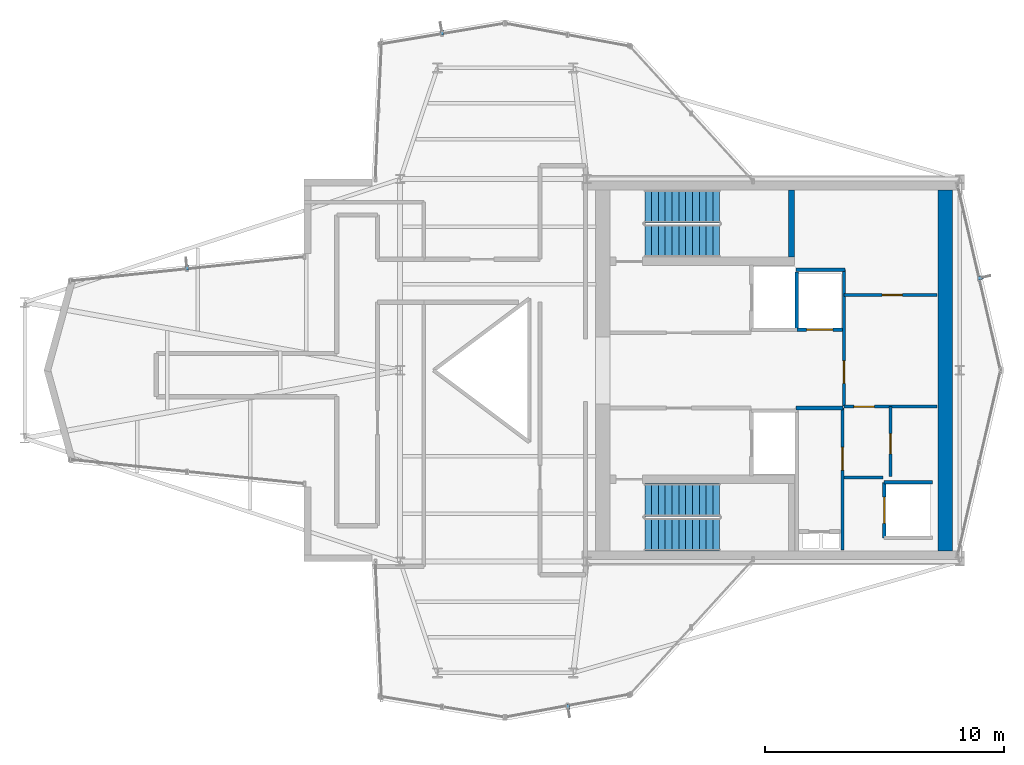
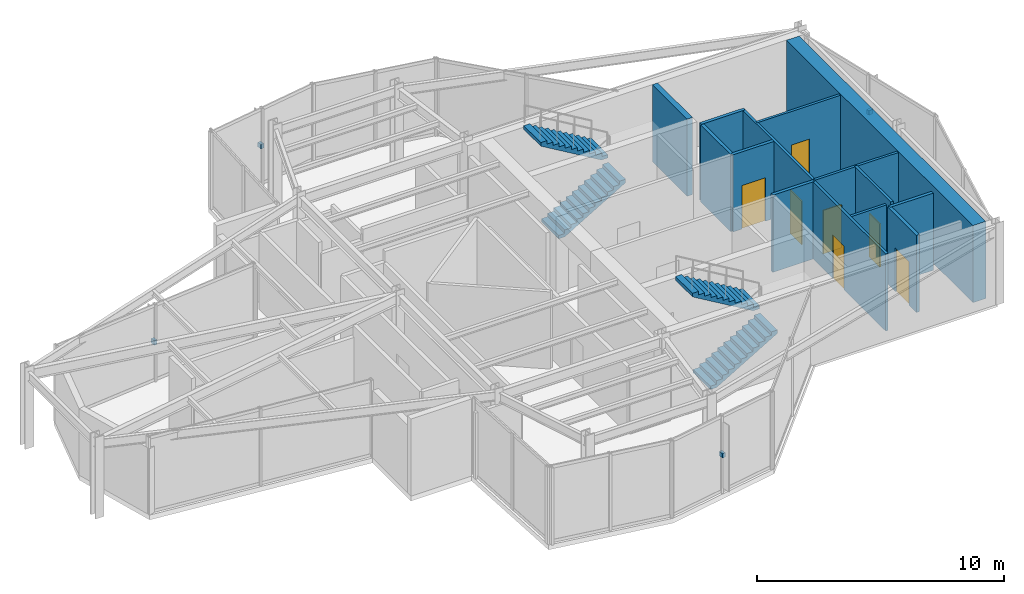
# One storey, part 13 of 14: 14 walls, 7 doors, 4 discrete accessories, 4 stair flights, 7 openings, 2 elements without a shape of their own.
"""IFC4 building model written with IfcOpenShell, lengths in metres."""

from ifc_helpers import new_model, si_unit, direction, frame, frame_2d, origin, origin_2d, place, context, subcontext, project, spatial, polyline, rectangle, outline, extrude, material, layer, layer_set, type_object, element, fill, aggregate, save


model = new_model("IFC4")

# Units and contexts
model_context = context("Model", 3, precision=1e-05, world=origin(), true_north=direction((0.0, 1.0)))
body_context = subcontext(model_context, "Body", "Model", "MODEL_VIEW")
ifc_project = project(units=[si_unit("LENGTHUNIT", "METRE"), si_unit("AREAUNIT", "SQUARE_METRE"), si_unit("VOLUMEUNIT", "CUBIC_METRE"), si_unit("PLANEANGLEUNIT", "RADIAN"), si_unit("MASSUNIT", "GRAM", prefix="KILO")], contexts=[model_context])

# Site, building, storey
site_placement = place(None, origin())
site = spatial("IfcSite", under=ifc_project, at=site_placement, CompositionType="ELEMENT")
building_placement = place(site_placement, origin())
building = spatial("IfcBuilding", under=site, at=building_placement, Name="Veymaron Broadcast Tower", CompositionType="ELEMENT")
storey_placement = place(building_placement, frame((0.0, 0.0, 283.050048828125)))
storey = spatial("IfcBuildingStorey", under=building, at=storey_placement, Name="L66", CompositionType="ELEMENT", Elevation=283.050048828125)

# Wall, opening, door
ifc_material_1 = material(Name="Gypsum fireboard and steel stud framing", Category="steel")
ifc_layer_1 = layer(ifc_material_1, 0.14990234375)
ifc_layer_set_1 = layer_set([ifc_layer_1], Name="Gypsum fireboard and steel stud framing")
wall_type_1 = type_object("IfcWallType", Name="WALL-FIRE-150", PredefinedType="PARTITIONING", material=ifc_layer_set_1)
wall_1_placement = place(storey_placement, frame((47.7900390625, 25.695068359375, 0.0), z_axis=(0.0, 0.0, 1.0), x_axis=(1.0, 0.0, 0.0)))
wall_1 = element("IfcWall", 1, at=wall_1_placement, inside=storey, type_object=wall_type_1, Name="L66 partition IW-L66-SHS-SL-1", PredefinedType="PARTITIONING", context=body_context, shape_type="SweptSolid", body=[
    extrude(rectangle(XDim=1.919921875, YDim=0.14990234375, at=frame_2d((0.9599609375, 0.0))), origin(), (0.0, 0.0, 1.0), 3.81005859375),
])
opening_1_placement = place(wall_1_placement, frame((0.409912109375, 0.0, 0.0)))
opening_1 = element("IfcOpeningElement", 2, at=opening_1_placement, cuts=wall_1, Name="Opening LD", PredefinedType="OPENING", context=body_context, shape_type="SweptSolid", body=[
    extrude(rectangle(XDim=1.10009765625, YDim=2.14990234375, at=frame_2d((0.550048828125, 1.074951171875))), frame((0.0, 0.0849609375, 0.0), z_axis=(0.0, -1.0, 0.0), x_axis=(1.0, 0.0, 0.0)), (0.0, 0.0, 1.0), 0.169921875),
])
ifc_material_2 = material(Name="Brushed stainless steel AISI 304", Category="steel")
door_type_1 = type_object("IfcDoorType", Name="DOOR-LIFT-1100", OperationType="DOUBLE_DOOR_SLIDING", PredefinedType="DOOR", material=ifc_material_2)
door_1_placement = place(opening_1_placement, frame((1.10009765625, 0.0, 0.0), z_axis=(0.0, 0.0, 1.0), x_axis=(-1.0, 0.0, 0.0)))
door_1 = element("IfcDoor", 3, at=door_1_placement, inside=storey, type_object=door_type_1, Name="L66 door LD-L66-SL-1", OperationType="DOUBLE_DOOR_SLIDING", OverallHeight=2.14990234375, OverallWidth=1.10009765625, PredefinedType="DOOR", context=body_context, shape_type="SweptSolid", body=[
    extrude(rectangle(XDim=1.10009765625, YDim=2.14990234375, at=frame_2d((0.550048828125, 1.074951171875))), frame((0.0, 0.02490234375, 0.0), z_axis=(0.0, -1.0, 0.0), x_axis=(1.0, 0.0, 0.0)), (0.0, 0.0, 1.0), 0.050048828125),
])
fill(opening_1, door_1)

# Wall
wall_2_placement = place(storey_placement, frame((47.7900390625, 25.695068359375, 0.0), z_axis=(0.0, 0.0, 1.0), x_axis=(0.0, 1.0, 0.0)))
element("IfcWall", 4, at=wall_2_placement, inside=storey, type_object=wall_type_1, Name="L66 partition IW-L66-SHW-SL-1", PredefinedType="PARTITIONING", context=body_context, shape_type="SweptSolid", body=[
    extrude(rectangle(XDim=2.4150390625, YDim=0.14990234375, at=frame_2d((1.20751953125, 0.0))), origin(), (0.0, 0.0, 1.0), 3.81005859375),
])

# Wall, opening, door
wall_3_placement = place(storey_placement, frame((51.445068359375, 16.989990234375, 0.0), z_axis=(0.0, 0.0, 1.0), x_axis=(0.0, 1.0, 0.0)))
wall_3 = element("IfcWall", 5, at=wall_3_placement, inside=storey, type_object=wall_type_1, Name="L66 partition IW-L66-SHW-PH1", PredefinedType="PARTITIONING", context=body_context, shape_type="SweptSolid", body=[
    extrude(rectangle(XDim=2.320068359375, YDim=0.14990234375, at=frame_2d((1.16015625, 0.0))), origin(), (0.0, 0.0, 1.0), 3.81005859375),
])
opening_2_placement = place(wall_3_placement, frame((0.610107421875, 0.0, 0.0)))
opening_2 = element("IfcOpeningElement", 6, at=opening_2_placement, cuts=wall_3, Name="Opening LD", PredefinedType="OPENING", context=body_context, shape_type="SweptSolid", body=[
    extrude(rectangle(XDim=1.10009765625, YDim=2.14990234375, at=frame_2d((0.550048828125, 1.074951171875))), frame((0.0, 0.0849609375, 0.0), z_axis=(0.0, -1.0, 0.0), x_axis=(1.0, 0.0, 0.0)), (0.0, 0.0, 1.0), 0.169921875),
])
door_2_placement = place(opening_2_placement, frame((1.10009765625, 0.0, 0.0), z_axis=(0.0, 0.0, 1.0), x_axis=(-1.0, 0.0, 0.0)))
door_2 = element("IfcDoor", 7, at=door_2_placement, inside=storey, type_object=door_type_1, Name="L66 door LD-L66-PH1", OperationType="DOUBLE_DOOR_SLIDING", OverallHeight=2.14990234375, OverallWidth=1.10009765625, PredefinedType="DOOR", context=body_context, shape_type="SweptSolid", body=[
    extrude(rectangle(XDim=1.10009765625, YDim=2.14990234375, at=frame_2d((0.550048828125, 1.074951171875))), frame((0.0, 0.02490234375, 0.0), z_axis=(0.0, -1.0, 0.0), x_axis=(1.0, 0.0, 0.0)), (0.0, 0.0, 1.0), 0.050048828125),
])
fill(opening_2, door_2)

# Walls
wall_4_placement = place(storey_placement, frame((51.445068359375, 19.31005859375, 0.0), z_axis=(0.0, 0.0, 1.0), x_axis=(1.0, 0.0, 0.0)))
element("IfcWall", 8, at=wall_4_placement, inside=storey, type_object=wall_type_1, Name="L66 partition IW-L66-SHN-PH1", PredefinedType="PARTITIONING", context=body_context, shape_type="SweptSolid", body=[
    extrude(rectangle(XDim=2.014892578125, YDim=0.14990234375, at=frame_2d((1.00732421875, 0.0))), origin(), (0.0, 0.0, 1.0), 3.81005859375),
])
wall_5_placement = place(storey_placement, frame((47.760009765625, 22.425048828125, 0.0), z_axis=(0.0, 0.0, 1.0), x_axis=(1.0, 0.0, 0.0)))
element("IfcWall", 9, at=wall_5_placement, inside=storey, type_object=wall_type_1, Name="L66 partition IW-L66-SM-N", PredefinedType="PARTITIONING", context=body_context, shape_type="SweptSolid", body=[
    extrude(rectangle(XDim=1.9599609375, YDim=0.14990234375, at=frame_2d((0.97998046875, 0.0))), origin(), (0.0, 0.0, 1.0), 3.81005859375),
])
wall_6_placement = place(storey_placement, frame((47.760009765625, 28.199951171875, 0.0), z_axis=(0.0, 0.0, 1.0), x_axis=(1.0, 0.0, 0.0)))
element("IfcWall", 10, at=wall_6_placement, inside=storey, type_object=wall_type_1, Name="L66 partition IW-L66-F3-SW", PredefinedType="PARTITIONING", context=body_context, shape_type="SweptSolid", body=[
    extrude(rectangle(XDim=2.0400390625, YDim=0.14990234375, at=frame_2d((1.02001953125, 0.0))), origin(), (0.0, 0.0, 1.0), 3.81005859375),
])

# Wall, opening, door
ifc_material_3 = material(Name="Acoustic gypsum board and galvanized stud", Category="gypsum")
ifc_layer_2 = layer(ifc_material_3, 0.1201171875)
ifc_layer_set_2 = layer_set([ifc_layer_2], Name="Acoustic gypsum board and galvanized stud")
wall_type_2 = type_object("IfcWallType", Name="WALL-PART-120", PredefinedType="PARTITIONING", material=ifc_layer_set_2)
wall_7_placement = place(storey_placement, frame((49.699951171875, 16.47998046875, 0.0), z_axis=(0.0, 0.0, 1.0), x_axis=(0.0, 1.0, 0.0)))
wall_7 = element("IfcWall", 11, at=wall_7_placement, inside=storey, type_object=wall_type_2, Name="L66 partition IW-L66-SM-E", PredefinedType="PARTITIONING", context=body_context, shape_type="SweptSolid", body=[
    extrude(rectangle(XDim=5.945068359375, YDim=0.1201171875, at=frame_2d((2.97265625, 0.0))), origin(), (0.0, 0.0, 1.0), 3.81005859375),
])
opening_3_placement = place(wall_7_placement, frame((3.35009765625, 0.0, 0.0)))
opening_3 = element("IfcOpeningElement", 12, at=opening_3_placement, cuts=wall_7, Name="Opening ID-RM1", PredefinedType="OPENING", context=body_context, shape_type="SweptSolid", body=[
    extrude(rectangle(XDim=0.949951171875, YDim=2.14990234375, at=frame_2d((0.47509765625, 1.074951171875))), frame((0.0, 0.070068359375, 0.0), z_axis=(0.0, -1.0, 0.0), x_axis=(1.0, 0.0, 0.0)), (0.0, 0.0, 1.0), 0.14013671875),
])
ifc_material_4 = material(Name="Acoustic solid-core European oak veneer timber", Category="wood")
door_type_2 = type_object("IfcDoorType", Name="DOOR-INT-950", OperationType="NOTDEFINED", PredefinedType="DOOR", material=ifc_material_4)
door_3_placement = place(opening_3_placement, frame((0.949951171875, 0.0, 0.0), z_axis=(0.0, 0.0, 1.0), x_axis=(-1.0, 0.0, 0.0)))
door_3 = element("IfcDoor", 13, at=door_3_placement, inside=storey, type_object=door_type_2, Name="L66 door DR-L66-AWC", OperationType="SINGLE_SWING_LEFT", OverallHeight=2.14990234375, OverallWidth=0.949951171875, PredefinedType="DOOR", context=body_context, shape_type="SweptSolid", body=[
    extrude(rectangle(XDim=0.949951171875, YDim=2.14990234375, at=frame_2d((0.47509765625, 1.074951171875))), frame((0.0, 0.02490234375, 0.0), z_axis=(0.0, -1.0, 0.0), x_axis=(1.0, 0.0, 0.0)), (0.0, 0.0, 1.0), 0.050048828125),
])
fill(opening_3, door_3)

wall_8_placement = place(storey_placement, frame((49.760009765625, 22.47998046875, 0.0), z_axis=(0.0, 0.0, 1.0), x_axis=(1.0, 0.0, 0.0)))
wall_8 = element("IfcWall", 14, at=wall_8_placement, inside=storey, type_object=wall_type_2, Name="L66 partition IW-L66-F3S-N", PredefinedType="PARTITIONING", context=body_context, shape_type="SweptSolid", body=[
    extrude(rectangle(XDim=3.89990234375, YDim=0.1201171875, at=frame_2d((1.949951171875, 0.0))), origin(), (0.0, 0.0, 1.0), 3.81005859375),
])
opening_4_placement = place(wall_8_placement, frame((0.419921875, 0.0, 0.0)))
opening_4 = element("IfcOpeningElement", 15, at=opening_4_placement, cuts=wall_8, Name="Opening ID-WC1", PredefinedType="OPENING", context=body_context, shape_type="SweptSolid", body=[
    extrude(rectangle(XDim=0.85009765625, YDim=2.14990234375, at=frame_2d((0.425048828125, 1.074951171875))), frame((0.0, 0.070068359375, 0.0), z_axis=(0.0, -1.0, 0.0), x_axis=(1.0, 0.0, 0.0)), (0.0, 0.0, 1.0), 0.14013671875),
])
ifc_material_5 = material(Name="Moisture-resistant high-pressure laminate timber", Category="wood")
door_type_3 = type_object("IfcDoorType", Name="DOOR-INT-850", OperationType="NOTDEFINED", PredefinedType="DOOR", material=ifc_material_5)
door_4_placement = place(opening_4_placement, frame((0.85009765625, 0.0, 0.0), z_axis=(0.0, 0.0, 1.0), x_axis=(-1.0, 0.0, 0.0)))
door_4 = element("IfcDoor", 16, at=door_4_placement, inside=storey, type_object=door_type_3, Name="L66 door DR-L66-F3S", OperationType="SINGLE_SWING_LEFT", OverallHeight=2.14990234375, OverallWidth=0.85009765625, PredefinedType="DOOR", context=body_context, shape_type="SweptSolid", body=[
    extrude(rectangle(XDim=0.85009765625, YDim=2.14990234375, at=frame_2d((0.425048828125, 1.074951171875))), frame((0.0, 0.02490234375, 0.0), z_axis=(0.0, -1.0, 0.0), x_axis=(1.0, 0.0, 0.0)), (0.0, 0.0, 1.0), 0.050048828125),
])
fill(opening_4, door_4)

wall_9_placement = place(storey_placement, frame((51.7099609375, 19.550048828125, 0.0), z_axis=(0.0, 0.0, 1.0), x_axis=(0.0, 1.0, 0.0)))
wall_9 = element("IfcWall", 17, at=wall_9_placement, inside=storey, type_object=wall_type_2, Name="L66 partition IW-L66-F3S-M", PredefinedType="PARTITIONING", context=body_context, shape_type="SweptSolid", body=[
    extrude(rectangle(XDim=2.929931640625, YDim=0.1201171875, at=frame_2d((1.46484375, 0.0))), origin(), (0.0, 0.0, 1.0), 3.81005859375),
])
opening_5_placement = place(wall_9_placement, frame((0.949951171875, 0.0, 0.0)))
opening_5 = element("IfcOpeningElement", 18, at=opening_5_placement, cuts=wall_9, Name="Opening ID-WC1", PredefinedType="OPENING", context=body_context, shape_type="SweptSolid", body=[
    extrude(rectangle(XDim=0.85009765625, YDim=2.14990234375, at=frame_2d((0.425048828125, 1.074951171875))), frame((0.0, 0.070068359375, 0.0), z_axis=(0.0, -1.0, 0.0), x_axis=(1.0, 0.0, 0.0)), (0.0, 0.0, 1.0), 0.14013671875),
])
door_5_placement = place(opening_5_placement, origin())
door_5 = element("IfcDoor", 19, at=door_5_placement, inside=storey, type_object=door_type_3, Name="L66 door DR-L66-F3SB", OperationType="SINGLE_SWING_RIGHT", OverallHeight=2.14990234375, OverallWidth=0.85009765625, PredefinedType="DOOR", context=body_context, shape_type="SweptSolid", body=[
    extrude(rectangle(XDim=0.85009765625, YDim=2.14990234375, at=frame_2d((0.425048828125, 1.074951171875))), frame((0.0, 0.02490234375, 0.0), z_axis=(0.0, -1.0, 0.0), x_axis=(1.0, 0.0, 0.0)), (0.0, 0.0, 1.0), 0.050048828125),
])
fill(opening_5, door_5)

# Wall
wall_10_placement = place(storey_placement, frame((49.760009765625, 19.52001953125, 0.0), z_axis=(0.0, 0.0, 1.0), x_axis=(1.0, 0.0, 0.0)))
element("IfcWall", 20, at=wall_10_placement, inside=storey, type_object=wall_type_2, Name="L66 partition IW-L66-F3S-S", PredefinedType="PARTITIONING", context=body_context, shape_type="SweptSolid", body=[
    extrude(rectangle(XDim=1.639892578125, YDim=0.1201171875, at=frame_2d((0.81982421875, 0.0))), origin(), (0.0, 0.0, 1.0), 3.81005859375),
])

# Wall, opening, door
wall_11_placement = place(storey_placement, frame((49.760009765625, 22.5, 0.0), z_axis=(0.0, 0.0, 1.0), x_axis=(0.0, 1.0, 0.0)))
wall_11 = element("IfcWall", 21, at=wall_11_placement, inside=storey, type_object=wall_type_2, Name="L66 partition IW-L66-F3-W", PredefinedType="PARTITIONING", context=body_context, shape_type="SweptSolid", body=[
    extrude(rectangle(XDim=5.719970703125, YDim=0.1201171875, at=frame_2d((2.85986328125, 0.0))), origin(), (0.0, 0.0, 1.0), 3.81005859375),
])
opening_6_placement = place(wall_11_placement, frame((0.949951171875, 0.0, 0.0)))
opening_6 = element("IfcOpeningElement", 22, at=opening_6_placement, cuts=wall_11, Name="Opening ID-RM1", PredefinedType="OPENING", context=body_context, shape_type="SweptSolid", body=[
    extrude(rectangle(XDim=0.949951171875, YDim=2.14990234375, at=frame_2d((0.47509765625, 1.074951171875))), frame((0.0, 0.070068359375, 0.0), z_axis=(0.0, -1.0, 0.0), x_axis=(1.0, 0.0, 0.0)), (0.0, 0.0, 1.0), 0.14013671875),
])
door_6_placement = place(opening_6_placement, origin())
door_6 = element("IfcDoor", 23, at=door_6_placement, inside=storey, type_object=door_type_2, Name="L66 door DR-L66-F3A", OperationType="SINGLE_SWING_LEFT", OverallHeight=2.14990234375, OverallWidth=0.949951171875, PredefinedType="DOOR", context=body_context, shape_type="SweptSolid", body=[
    extrude(rectangle(XDim=0.949951171875, YDim=2.14990234375, at=frame_2d((0.47509765625, 1.074951171875))), frame((0.0, 0.02490234375, 0.0), z_axis=(0.0, -1.0, 0.0), x_axis=(1.0, 0.0, 0.0)), (0.0, 0.0, 1.0), 0.050048828125),
])
fill(opening_6, door_6)

wall_12_placement = place(storey_placement, frame((49.760009765625, 27.14990234375, 0.0), z_axis=(0.0, 0.0, 1.0), x_axis=(1.0, 0.0, 0.0)))
wall_12 = element("IfcWall", 24, at=wall_12_placement, inside=storey, type_object=wall_type_2, Name="L66 partition IW-L66-F3-M1", PredefinedType="PARTITIONING", context=body_context, shape_type="SweptSolid", body=[
    extrude(rectangle(XDim=3.89990234375, YDim=0.1201171875, at=frame_2d((1.949951171875, 0.0))), origin(), (0.0, 0.0, 1.0), 3.81005859375),
])
opening_7_placement = place(wall_12_placement, frame((1.60009765625, 0.0, 0.0)))
opening_7 = element("IfcOpeningElement", 25, at=opening_7_placement, cuts=wall_12, Name="Opening ID-WC1", PredefinedType="OPENING", context=body_context, shape_type="SweptSolid", body=[
    extrude(rectangle(XDim=0.85009765625, YDim=2.14990234375, at=frame_2d((0.425048828125, 1.074951171875))), frame((0.0, 0.070068359375, 0.0), z_axis=(0.0, -1.0, 0.0), x_axis=(1.0, 0.0, 0.0)), (0.0, 0.0, 1.0), 0.14013671875),
])
door_7_placement = place(opening_7_placement, origin())
door_7 = element("IfcDoor", 26, at=door_7_placement, inside=storey, type_object=door_type_3, Name="L66 door DR-L66-F3B", OperationType="SINGLE_SWING_LEFT", OverallHeight=2.14990234375, OverallWidth=0.85009765625, PredefinedType="DOOR", context=body_context, shape_type="SweptSolid", body=[
    extrude(rectangle(XDim=0.85009765625, YDim=2.14990234375, at=frame_2d((0.425048828125, 1.074951171875))), frame((0.0, 0.02490234375, 0.0), z_axis=(0.0, -1.0, 0.0), x_axis=(1.0, 0.0, 0.0)), (0.0, 0.0, 1.0), 0.050048828125),
])
fill(opening_7, door_7)

# Walls
ifc_material_6 = material(Name="Concrete C50/60", Category="concrete")
ifc_layer_3 = layer(ifc_material_6, 0.25)
ifc_layer_set_3 = layer_set([ifc_layer_3], Name="Concrete C50/60")
wall_type_3 = type_object("IfcWallType", Name="WALL-SHEAR-250", PredefinedType="SHEAR", material=ifc_layer_set_3)
wall_13_placement = place(storey_placement, frame((47.56494140625, 28.72998046875, 0.0), z_axis=(0.0, 0.0, 1.0), x_axis=(0.0, 1.0, 0.0)))
element("IfcWall", 27, at=wall_13_placement, inside=storey, type_object=wall_type_3, Name="L66 Core Wall north stair east shear", PredefinedType="SHEAR", context=body_context, shape_type="SweptSolid", body=[
    extrude(rectangle(XDim=2.820068359375, YDim=0.25, at=frame_2d((1.41015625, 0.0))), origin(), (0.0, 0.0, 1.0), 3.81005859375),
])
ifc_layer_4 = layer(ifc_material_6, 0.60009765625)
ifc_layer_set_4 = layer_set([ifc_layer_4], Name="Concrete C50/60")
wall_type_4 = type_object("IfcWallType", Name="WALL-SHEAR-600", PredefinedType="SHEAR", material=ifc_layer_set_4)
wall_14_placement = place(storey_placement, frame((54.0, 16.449951171875, 0.0), z_axis=(0.0, 0.0, 1.0), x_axis=(0.0, 1.0, 0.0)))
element("IfcWall", 28, at=wall_14_placement, inside=storey, type_object=wall_type_4, Name="L66 Core Wall east shear", PredefinedType="SHEAR", context=body_context, shape_type="SweptSolid", body=[
    extrude(rectangle(XDim=15.10009765625, YDim=0.60009765625, at=frame_2d((7.550048828125, 0.0))), origin(), (0.0, 0.0, 1.0), 3.81005859375),
])

# Stair, stair flights
stair_type_1 = type_object("IfcStairType", Name="STAIR-CORE-1", PredefinedType="HALF_TURN_STAIR", material=ifc_material_6)
stair_1_placement = place(storey_placement, origin())
stair_1 = element("IfcStair", 29, at=stair_1_placement, inside=storey, type_object=stair_type_1, Name="L66 North protected dog-leg exit stair ST1", PredefinedType="HALF_TURN_STAIR")
ifc_material_7 = material(Name="Precast concrete C50/60", Category="concrete")
stair_flight_type = type_object("IfcStairFlightType", Name="FLT-CORE-RC", PredefinedType="STRAIGHT", material=ifc_material_7)
stair_flight_1_placement = place(storey_placement, frame((41.429931640625, 29.419921875, 0.0), z_axis=(0.0, 0.0, 1.0), x_axis=(1.0, 0.0, 0.0)))
stair_flight_1 = element("IfcStairFlight", 30, at=stair_flight_1_placement, type_object=stair_flight_type, Name="ST1 flight 1", NumberOfRisers=12, NumberOfTreads=11, PredefinedType="STRAIGHT", RiserHeight=0.16875, TreadLength=0.285, context=body_context, shape_type="SweptSolid", body=[
    extrude(outline(polyline([(0.0, 0.0), (0.0, 0.168701171875), (0.284912109375, 0.168701171875), (0.284912109375, 0.33740234375), (0.570068359375, 0.33740234375), (0.570068359375, 0.50634765625), (0.85498046875, 0.50634765625), (0.85498046875, 0.675048828125), (1.139892578125, 0.675048828125), (1.139892578125, 0.84375), (1.425048828125, 0.84375), (1.425048828125, 1.012451171875), (1.7099609375, 1.012451171875), (1.7099609375, 1.18115234375), (1.9951171875, 1.18115234375), (1.9951171875, 1.35009765625), (2.280029296875, 1.35009765625), (2.280029296875, 1.518798828125), (2.56494140625, 1.518798828125), (2.56494140625, 1.6875), (2.85009765625, 1.6875), (2.85009765625, 1.856201171875), (3.135009765625, 1.856201171875), (3.135009765625, 2.02490234375), (3.135009765625, 1.68212890625), (0.294189453125, 0.0), (0.0, 0.0)])), frame((0.0, 0.68994140625, 0.0), z_axis=(0.0, -1.0, 0.0), x_axis=(1.0, 0.0, 0.0)), (0.0, 0.0, 1.0), 1.3798828125),
])
stair_flight_2_placement = place(storey_placement, frame((44.56494140625, 30.860107421875, 2.02490234375), z_axis=(0.0, 0.0, 1.0), x_axis=(-1.0, 0.0, 0.0)))
stair_flight_2 = element("IfcStairFlight", 31, at=stair_flight_2_placement, type_object=stair_flight_type, Name="ST1 flight 2", NumberOfRisers=12, NumberOfTreads=11, PredefinedType="STRAIGHT", RiserHeight=0.16875, TreadLength=0.285, context=body_context, shape_type="SweptSolid", body=[
    extrude(outline(polyline([(0.0, 0.0), (0.0, 0.168701171875), (0.284912109375, 0.168701171875), (0.284912109375, 0.33740234375), (0.570068359375, 0.33740234375), (0.570068359375, 0.50634765625), (0.85498046875, 0.50634765625), (0.85498046875, 0.675048828125), (1.139892578125, 0.675048828125), (1.139892578125, 0.84375), (1.425048828125, 0.84375), (1.425048828125, 1.012451171875), (1.7099609375, 1.012451171875), (1.7099609375, 1.18115234375), (1.9951171875, 1.18115234375), (1.9951171875, 1.35009765625), (2.280029296875, 1.35009765625), (2.280029296875, 1.518798828125), (2.56494140625, 1.518798828125), (2.56494140625, 1.6875), (2.85009765625, 1.6875), (2.85009765625, 1.856201171875), (3.135009765625, 1.856201171875), (3.135009765625, 2.02490234375), (3.135009765625, 1.68212890625), (0.294189453125, 0.0), (0.0, 0.0)])), frame((0.0, 0.68994140625, 0.0), z_axis=(0.0, -1.0, 0.0), x_axis=(1.0, 0.0, 0.0)), (0.0, 0.0, 1.0), 1.3798828125),
])
aggregate(stair_1, [stair_flight_1, stair_flight_2])

stair_type_2 = type_object("IfcStairType", Name="STAIR-CORE-2", PredefinedType="HALF_TURN_STAIR", material=ifc_material_6)
stair_2_placement = place(storey_placement, origin())
stair_2 = element("IfcStair", 32, at=stair_2_placement, inside=storey, type_object=stair_type_2, Name="L66 South protected dog-leg exit stair ST2", PredefinedType="HALF_TURN_STAIR")
stair_flight_3_placement = place(storey_placement, frame((41.429931640625, 17.139892578125, 0.0), z_axis=(0.0, 0.0, 1.0), x_axis=(1.0, 0.0, 0.0)))
stair_flight_3 = element("IfcStairFlight", 33, at=stair_flight_3_placement, type_object=stair_flight_type, Name="ST2 flight 1", NumberOfRisers=12, NumberOfTreads=11, PredefinedType="STRAIGHT", RiserHeight=0.16875, TreadLength=0.285, context=body_context, shape_type="SweptSolid", body=[
    extrude(outline(polyline([(0.0, 0.0), (0.0, 0.168701171875), (0.284912109375, 0.168701171875), (0.284912109375, 0.33740234375), (0.570068359375, 0.33740234375), (0.570068359375, 0.50634765625), (0.85498046875, 0.50634765625), (0.85498046875, 0.675048828125), (1.139892578125, 0.675048828125), (1.139892578125, 0.84375), (1.425048828125, 0.84375), (1.425048828125, 1.012451171875), (1.7099609375, 1.012451171875), (1.7099609375, 1.18115234375), (1.9951171875, 1.18115234375), (1.9951171875, 1.35009765625), (2.280029296875, 1.35009765625), (2.280029296875, 1.518798828125), (2.56494140625, 1.518798828125), (2.56494140625, 1.6875), (2.85009765625, 1.6875), (2.85009765625, 1.856201171875), (3.135009765625, 1.856201171875), (3.135009765625, 2.02490234375), (3.135009765625, 1.68212890625), (0.294189453125, 0.0), (0.0, 0.0)])), frame((0.0, 0.68994140625, 0.0), z_axis=(0.0, -1.0, 0.0), x_axis=(1.0, 0.0, 0.0)), (0.0, 0.0, 1.0), 1.3798828125),
])
stair_flight_4_placement = place(storey_placement, frame((44.56494140625, 18.580078125, 2.02490234375), z_axis=(0.0, 0.0, 1.0), x_axis=(-1.0, 0.0, 0.0)))
stair_flight_4 = element("IfcStairFlight", 34, at=stair_flight_4_placement, type_object=stair_flight_type, Name="ST2 flight 2", NumberOfRisers=12, NumberOfTreads=11, PredefinedType="STRAIGHT", RiserHeight=0.16875, TreadLength=0.285, context=body_context, shape_type="SweptSolid", body=[
    extrude(outline(polyline([(0.0, 0.0), (0.0, 0.168701171875), (0.284912109375, 0.168701171875), (0.284912109375, 0.33740234375), (0.570068359375, 0.33740234375), (0.570068359375, 0.50634765625), (0.85498046875, 0.50634765625), (0.85498046875, 0.675048828125), (1.139892578125, 0.675048828125), (1.139892578125, 0.84375), (1.425048828125, 0.84375), (1.425048828125, 1.012451171875), (1.7099609375, 1.012451171875), (1.7099609375, 1.18115234375), (1.9951171875, 1.18115234375), (1.9951171875, 1.35009765625), (2.280029296875, 1.35009765625), (2.280029296875, 1.518798828125), (2.56494140625, 1.518798828125), (2.56494140625, 1.6875), (2.85009765625, 1.6875), (2.85009765625, 1.856201171875), (3.135009765625, 1.856201171875), (3.135009765625, 2.02490234375), (3.135009765625, 1.68212890625), (0.294189453125, 0.0), (0.0, 0.0)])), frame((0.0, 0.68994140625, 0.0), z_axis=(0.0, -1.0, 0.0), x_axis=(1.0, 0.0, 0.0)), (0.0, 0.0, 1.0), 1.3798828125),
])
aggregate(stair_2, [stair_flight_3, stair_flight_4])

# Discrete accessories
ifc_material_8 = material(Name="Austenitic stainless steel AISI 316L", Category="steel")
ifc_layer_5 = layer(ifc_material_8, 0.1201171875)
ifc_layer_set_5 = layer_set([ifc_layer_5], Name="Austenitic stainless steel AISI 316L")
discrete_accessory_type = type_object("IfcDiscreteAccessoryType", Name="ACC-BRKT-SS1", PredefinedType="BRACKET", material=ifc_layer_set_5)
for number, where, z_axis, x_axis, name in (
    (35, (55.477294921875, 27.865478515625, 1.794921875), (0.0, 0.0, 1.0), (0.974118184231, 0.226039295589, 0.0), "CW-L66-E3-1 fin bracket 1"),
    (36, (32.946044921875, 38.13232421875, 1.794921875), (0.0, 0.0, 1.0), (-0.164634457046, 0.986354649988, 0.0), "CW-L66-E7-1 fin bracket 1"),
    (37, (22.281005859375, 28.298583984375, 1.794921875), (0.0, 0.0, 1.0), (-0.102809897611, 0.994701022897, 0.0), "CW-L66-E11-1 fin bracket 1"),
    (38, (38.21484375, 9.91162109375, 1.794921875), (0.0, 0.0, 1.0), (0.180570644685, -0.983562017505, 0.0), "CW-L66-E19-1 fin bracket 1"),
):
    element("IfcDiscreteAccessory", number, at=place(storey_placement, frame(where, z_axis=z_axis, x_axis=x_axis)), inside=storey, type_object=discrete_accessory_type, Name=name, PredefinedType="BRACKET", context=body_context, shape_type="SweptSolid", body=[
        extrude(rectangle(XDim=0.219970703125, YDim=0.139892578125, at=origin_2d()), origin(), (0.0, 0.0, 1.0), 0.219970703125),
    ])

save(model, "model.ifc")
